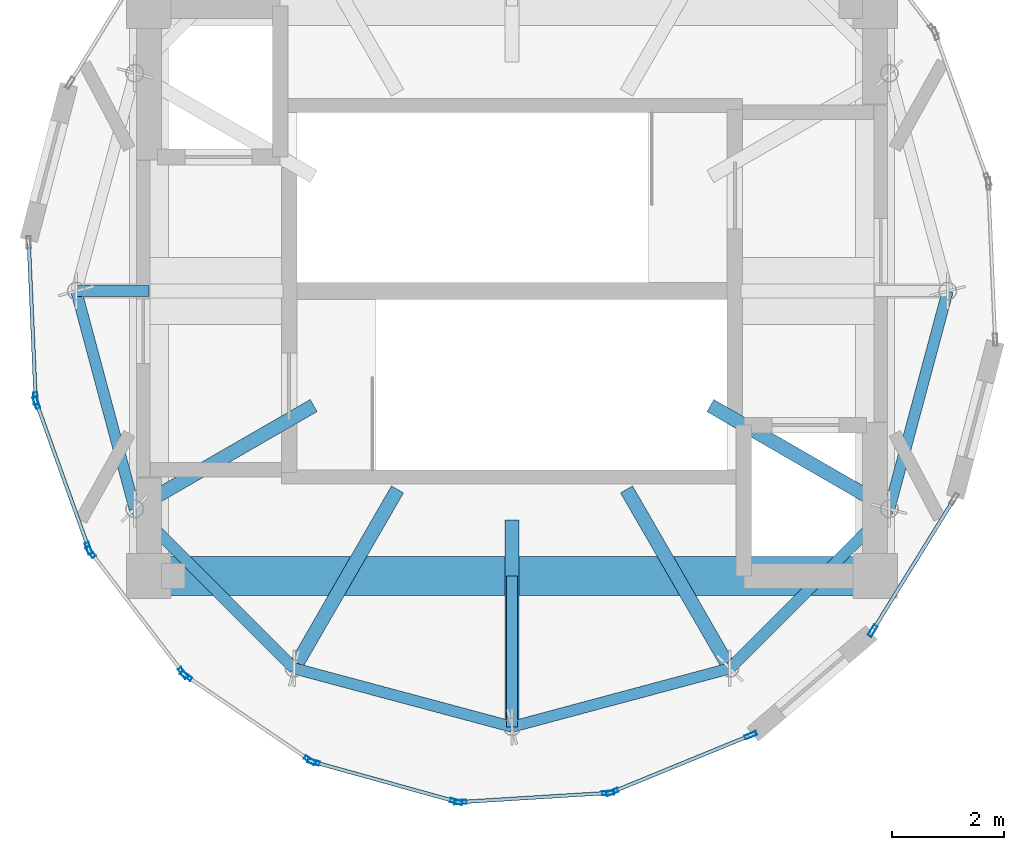
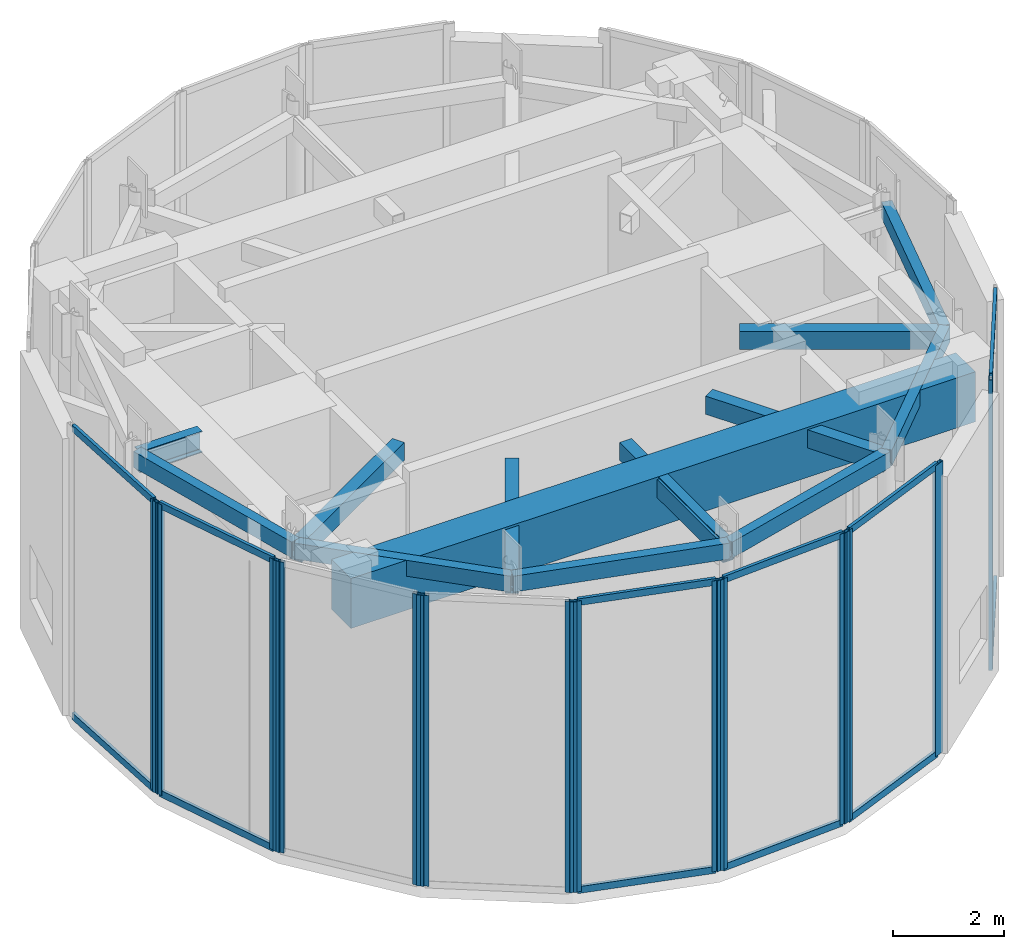
# One storey, part 2 of 7: 31 members, 9 beams, 8 elements without a shape of their own.
"""IFC4 building model written with IfcOpenShell, lengths in metres."""

from ifc_helpers import new_model, si_unit, direction, frame, origin, origin_2d, place, context, subcontext, project, spatial, rectangle, hollow_rectangle, i_section, extrude, source, transform, mapped, material, layer, layer_set, material_profile, profile_set, type_object, element, aggregate, save


model = new_model("IFC4")

# Units and contexts
model_context = context("Model", 3, precision=1e-05, world=origin(), true_north=direction((0.0, 1.0)))
body_context = subcontext(model_context, "Body", "Model", "MODEL_VIEW")
ifc_project = project(units=[si_unit("LENGTHUNIT", "METRE"), si_unit("AREAUNIT", "SQUARE_METRE"), si_unit("VOLUMEUNIT", "CUBIC_METRE"), si_unit("PLANEANGLEUNIT", "RADIAN"), si_unit("MASSUNIT", "GRAM", prefix="KILO")], contexts=[model_context])

# Site, building, storey
site_placement = place(None, origin())
site = spatial("IfcSite", under=ifc_project, at=site_placement, CompositionType="ELEMENT")
building_placement = place(site_placement, origin())
building = spatial("IfcBuilding", under=site, at=building_placement, Name="Solvirekh Grand Hotel", CompositionType="ELEMENT")
storey_placement = place(building_placement, frame((0.0, 0.0, 333.800048828125)))
storey = spatial("IfcBuildingStorey", under=building, at=storey_placement, Name="L83", CompositionType="ELEMENT", Elevation=333.800048828125)

# Beams
ifc_material_1 = material(Name="Concrete C60/75", Category="concrete")
ifc_material_profile_1 = material_profile(ifc_material_1, rectangle(XDim=0.699951171875, YDim=1.10009765625, at=origin_2d()), Name="RC BEAM 700X1100")
ifc_profile_set_1 = profile_set([ifc_material_profile_1], Name="Concrete C60/75")
beam_type_1 = type_object("IfcBeamType", Name="Beam_Core_RC1100", PredefinedType="BEAM", material=ifc_profile_set_1)
beam_1_placement = place(storey_placement, frame((-6.5, -5.10009765625, 5.550048828125), z_axis=(1.0, 0.0, 0.0), x_axis=(0.0, 1.0, 0.0)))
element("IfcBeam", 1, at=beam_1_placement, inside=storey, type_object=beam_type_1, Name="L83 core coupling ring beam 1", PredefinedType="BEAM", context=body_context, shape_type="SweptSolid", body=[
    extrude(rectangle(XDim=0.699951171875, YDim=1.10009765625, at=origin_2d()), origin(), (0.0, 0.0, 1.0), 13.0),
])
ifc_material_2 = material(Name="Steel S355", Category="steel")
ifc_material_profile_2 = material_profile(ifc_material_2, i_section(OverallWidth=0.194091796875, OverallDepth=0.468994140625, WebThickness=0.010986328125, FlangeThickness=0.01904296875, FilletRadius=0.012939453125, at=origin_2d()), Name="W460X106")
ifc_profile_set_2 = profile_set([ifc_material_profile_2], Name="Steel S355")
beam_type_2 = type_object("IfcBeamType", Name="Beam_Radial_W460H", PredefinedType="BEAM", material=ifc_profile_set_2)
beam_2_placement = place(storey_placement, frame((-6.5, 0.0, 5.864990234375), z_axis=(-1.0, 0.0, 0.0), x_axis=(0.0, -1.0, 0.0)))
element("IfcBeam", 2, at=beam_2_placement, inside=storey, type_object=beam_type_2, Name="L83 radial floor beam R07", PredefinedType="BEAM", context=body_context, shape_type="SweptSolid", body=[
    extrude(i_section(OverallWidth=0.194091796875, OverallDepth=0.468994140625, WebThickness=0.010986328125, FlangeThickness=0.01904296875, FilletRadius=0.012939453125, at=origin_2d()), origin(), (0.0, 0.0, 1.0), 1.300048828125),
])
beam_3_placement = place(storey_placement, frame((0.0, -5.10009765625, 5.864990234375), z_axis=(0.0, -1.0, 0.0), x_axis=(1.0, 0.0, 0.0)))
element("IfcBeam", 3, at=beam_3_placement, inside=storey, type_object=beam_type_2, Name="L83 radial floor beam R10", PredefinedType="BEAM", context=body_context, shape_type="SweptSolid", body=[
    extrude(i_section(OverallWidth=0.194091796875, OverallDepth=0.468994140625, WebThickness=0.010986328125, FlangeThickness=0.01904296875, FilletRadius=0.012939453125, at=origin_2d()), origin(), (0.0, 0.0, 1.0), 2.699951171875),
])

# Members
ifc_material_profile_3 = material_profile(ifc_material_2, hollow_rectangle(XDim=0.25, YDim=0.39990234375, WallThickness=0.01611328125, at=origin_2d()), Name="RHS 400X250X16")
ifc_profile_set_3 = profile_set([ifc_material_profile_3], Name="Steel S355")
member_type_1 = type_object("IfcMemberType", Name="Rafter_Crown_RHS400", PredefinedType="RAFTER", material=ifc_profile_set_3)
for number, where, z_axis, x_axis, name in (
    (4, (-6.7548828125, -3.89990234375, 5.849853515625), (0.86601304703, 0.500021401916, 0.0), (-0.500021401916, 0.86601304703, 0.0), "Crown collar rafter 8"),
    (5, (-3.89990234375, -6.7548828125, 5.849853515625), (0.500021401916, 0.86601304703, 0.0), (-0.86601304703, 0.500021401916, 0.0), "Crown collar rafter 9"),
):
    element("IfcMember", number, at=place(storey_placement, frame(where, z_axis=z_axis, x_axis=x_axis)), inside=storey, type_object=member_type_1, Name=name, PredefinedType="RAFTER", context=body_context, shape_type="SweptSolid", body=[
        extrude(hollow_rectangle(XDim=0.25, YDim=0.39990234375, WallThickness=0.01611328125, at=origin_2d()), origin(), (0.0, 0.0, 1.0), 3.699462890625),
    ])
member_1_placement = place(storey_placement, frame((0.0, -7.800048828125, 5.849853515625), z_axis=(0.0, 1.0, 0.0), x_axis=(-1.0, 0.0, 0.0)))
element("IfcMember", 6, at=member_1_placement, inside=storey, type_object=member_type_1, Name="Crown collar rafter 10", PredefinedType="RAFTER", context=body_context, shape_type="SweptSolid", body=[
    extrude(hollow_rectangle(XDim=0.25, YDim=0.39990234375, WallThickness=0.01611328125, at=origin_2d()), origin(), (0.0, 0.0, 1.0), 3.699951171875),
])
for number, where, z_axis, x_axis, name in (
    (7, (3.89990234375, -6.7548828125, 5.849853515625), (-0.500021401916, 0.86601304703, 0.0), (-0.86601304703, -0.500021401916, 0.0), "Crown collar rafter 11"),
    (8, (6.7548828125, -3.89990234375, 5.849853515625), (-0.86601304703, 0.500021401916, 0.0), (-0.500021401916, -0.86601304703, 0.0), "Crown collar rafter 12"),
):
    element("IfcMember", number, at=place(storey_placement, frame(where, z_axis=z_axis, x_axis=x_axis)), inside=storey, type_object=member_type_1, Name=name, PredefinedType="RAFTER", context=body_context, shape_type="SweptSolid", body=[
        extrude(hollow_rectangle(XDim=0.25, YDim=0.39990234375, WallThickness=0.01611328125, at=origin_2d()), origin(), (0.0, 0.0, 1.0), 3.699462890625),
    ])

# Beams
ifc_material_profile_4 = material_profile(ifc_material_2, hollow_rectangle(XDim=0.199951171875, YDim=0.35009765625, WallThickness=0.013916015625, at=origin_2d()), Name="RHS 350X200X14")
ifc_profile_set_4 = profile_set([ifc_material_profile_4], Name="Steel S355")
beam_type_3 = type_object("IfcBeamType", Name="Spandrel_Crown_RHS350", PredefinedType="SPANDREL", material=ifc_profile_set_4)
for number, where, z_axis, x_axis, name in (
    (9, (-7.800048828125, 0.0, 5.925048828125), (0.258863027773, -0.965914040095, 0.0), (0.965914040095, 0.258863027773, 0.0), "L83 perimeter spandrel beam 7"),
    (10, (-6.7548828125, -3.89990234375, 5.925048828125), (0.707106781187, -0.707106781187, 0.0), (0.707106781187, 0.707106781187, 0.0), "L83 perimeter spandrel beam 8"),
    (11, (-3.89990234375, -6.7548828125, 5.925048828125), (0.965914040095, -0.258863027773, 0.0), (0.258863027773, 0.965914040095, 0.0), "L83 perimeter spandrel beam 9"),
    (12, (0.0, -7.800048828125, 5.925048828125), (0.965914040095, 0.258863027773, 0.0), (-0.258863027773, 0.965914040095, 0.0), "L83 perimeter spandrel beam 10"),
    (13, (3.89990234375, -6.7548828125, 5.925048828125), (0.707106781187, 0.707106781187, 0.0), (-0.707106781187, 0.707106781187, 0.0), "L83 perimeter spandrel beam 11"),
    (14, (6.7548828125, -3.89990234375, 5.925048828125), (0.258863027773, 0.965914040095, 0.0), (-0.965914040095, 0.258863027773, 0.0), "L83 perimeter spandrel beam 12"),
):
    element("IfcBeam", number, at=place(storey_placement, frame(where, z_axis=z_axis, x_axis=x_axis)), inside=storey, type_object=beam_type_3, Name=name, PredefinedType="SPANDREL", context=body_context, shape_type="SweptSolid", body=[
        extrude(hollow_rectangle(XDim=0.199951171875, YDim=0.35009765625, WallThickness=0.013916015625, at=origin_2d()), origin(), (0.0, 0.0, 1.0), 4.03759765625),
    ])

# Curtain wall, members
ifc_material_3 = material(Name="Anodized Bronze Aluminium 6063-T6", Category="aluminium")
ifc_layer = layer(ifc_material_3, 0.219970703125)
ifc_layer_set = layer_set([ifc_layer], Name="Anodized Bronze Aluminium 6063-T6")
curtain_wall_type = type_object("IfcCurtainWallType", Name="CW_Sys6_CrownFacetedPointCW", PredefinedType="NOTDEFINED", material=ifc_layer_set)
curtain_wall_1_placement = place(storey_placement, origin())
curtain_wall_1 = element("IfcCurtainWall", 15, at=curtain_wall_1_placement, inside=storey, type_object=curtain_wall_type, Name="L83 unitised bronze-glass curtain wall CW-L83-C01", PredefinedType="NOTDEFINED")
ifc_material_profile_5 = material_profile(ifc_material_3, hollow_rectangle(XDim=0.074951171875, YDim=0.219970703125, WallThickness=0.006103515625, at=origin_2d()), Name="ALU RHS 220X75X6")
ifc_profile_set_5 = profile_set([ifc_material_profile_5], Name="Anodized Bronze Aluminium 6063-T6")
member_type_2 = type_object("IfcMemberType", Name="CWMullion_Sys6", PredefinedType="MULLION", material=ifc_profile_set_5)
shared_shape_1 = source(origin(), body_context, "Body", "SweptSolid", [
    extrude(hollow_rectangle(XDim=0.074951171875, YDim=0.219970703125, WallThickness=0.006103515625, at=origin_2d()), origin(), (0.0, 0.0, 1.0), 6.39990234375),
])
member_2_placement = place(storey_placement, frame((-0.924560546875, -9.147705078125, 0.0), z_axis=(0.0, 0.0, 1.0), x_axis=(-0.061259226607, 0.998121889929, 0.0)))
member_2 = element("IfcMember", 16, at=member_2_placement, type_object=member_type_2, Name="U06 mullion 1", PredefinedType="MULLION", context=body_context, shape_type="MappedRepresentation", body=[
    mapped(shared_shape_1, transform((0.0, 0.0, 0.0), x_axis=(1.0, 0.0, 0.0), y_axis=(0.0, 1.0, 0.0), z_axis=(0.0, 0.0, 1.0), scale=1.0)),
])
member_3_placement = place(storey_placement, frame((1.7216796875, -8.9853515625, 0.0), z_axis=(0.0, 0.0, 1.0), x_axis=(-0.061259226607, 0.998121889929, 0.0)))
member_3 = element("IfcMember", 17, at=member_3_placement, type_object=member_type_2, Name="U06 mullion 2", PredefinedType="MULLION", context=body_context, shape_type="MappedRepresentation", body=[
    mapped(shared_shape_1, transform((0.0, 0.0, 0.0), x_axis=(1.0, 0.0, 0.0), y_axis=(0.0, 1.0, 0.0), z_axis=(0.0, 0.0, 1.0), scale=1.0)),
])

curtain_wall_2_placement = place(storey_placement, origin())
curtain_wall_2 = element("IfcCurtainWall", 18, at=curtain_wall_2_placement, inside=storey, type_object=curtain_wall_type, Name="L83 unitised bronze-glass curtain wall CW-L83-C02", PredefinedType="NOTDEFINED")
member_4_placement = place(storey_placement, frame((1.793701171875, -8.96875, 0.0), z_axis=(0.0, 0.0, 1.0), x_axis=(-0.379636009824, 0.925135935982, 0.0)))
member_4 = element("IfcMember", 19, at=member_4_placement, type_object=member_type_2, Name="U06 mullion 1", PredefinedType="MULLION", context=body_context, shape_type="MappedRepresentation", body=[
    mapped(shared_shape_1, transform((0.0, 0.0, 0.0), x_axis=(1.0, 0.0, 0.0), y_axis=(0.0, 1.0, 0.0), z_axis=(0.0, 0.0, 1.0), scale=1.0)),
])
member_5_placement = place(storey_placement, frame((4.273193359375, -7.951171875, 0.0), z_axis=(0.0, 0.0, 1.0), x_axis=(-0.379636009824, 0.925135935982, 0.0)))
member_5 = element("IfcMember", 20, at=member_5_placement, type_object=member_type_2, Name="U06 mullion 2", PredefinedType="MULLION", context=body_context, shape_type="MappedRepresentation", body=[
    mapped(shared_shape_1, transform((0.0, 0.0, 0.0), x_axis=(1.0, 0.0, 0.0), y_axis=(0.0, 1.0, 0.0), z_axis=(0.0, 0.0, 1.0), scale=1.0)),
])

# Curtain wall, member
curtain_wall_3_placement = place(storey_placement, origin())
curtain_wall_3 = element("IfcCurtainWall", 21, at=curtain_wall_3_placement, inside=storey, type_object=curtain_wall_type, Name="L83 unitised bronze-glass curtain wall CW-L83-C04", PredefinedType="NOTDEFINED")
member_6_placement = place(storey_placement, frame((6.454833984375, -6.08203125, 0.0), z_axis=(0.0, 0.0, 1.0), x_axis=(-0.850631696106, 0.525762035125, 0.0)))
member_6 = element("IfcMember", 22, at=member_6_placement, type_object=member_type_2, Name="U06 mullion 1", PredefinedType="MULLION", context=body_context, shape_type="MappedRepresentation", body=[
    mapped(shared_shape_1, transform((0.0, 0.0, 0.0), x_axis=(1.0, 0.0, 0.0), y_axis=(0.0, 1.0, 0.0), z_axis=(0.0, 0.0, 1.0), scale=1.0)),
])

curtain_wall_4_placement = place(storey_placement, origin())
curtain_wall_4 = element("IfcCurtainWall", 23, at=curtain_wall_4_placement, inside=storey, type_object=curtain_wall_type, Name="L83 unitised bronze-glass curtain wall CW-L83-C16", PredefinedType="NOTDEFINED")
member_7_placement = place(storey_placement, frame((-8.527587890625, -1.924560546875, 0.0), z_axis=(0.0, 0.0, 1.0), x_axis=(0.999038348092, 0.04384494318, 0.0)))
member_7 = element("IfcMember", 24, at=member_7_placement, type_object=member_type_2, Name="U06 mullion 2", PredefinedType="MULLION", context=body_context, shape_type="MappedRepresentation", body=[
    mapped(shared_shape_1, transform((0.0, 0.0, 0.0), x_axis=(1.0, 0.0, 0.0), y_axis=(0.0, 1.0, 0.0), z_axis=(0.0, 0.0, 1.0), scale=1.0)),
])

# Curtain wall, members
curtain_wall_5_placement = place(storey_placement, origin())
curtain_wall_5 = element("IfcCurtainWall", 25, at=curtain_wall_5_placement, inside=storey, type_object=curtain_wall_type, Name="L83 unitised bronze-glass curtain wall CW-L83-C17", PredefinedType="NOTDEFINED")
member_8_placement = place(storey_placement, frame((-8.513427734375, -1.997314453125, 0.0), z_axis=(0.0, 0.0, 1.0), x_axis=(0.941312033475, 0.33753763588, 0.0)))
member_8 = element("IfcMember", 26, at=member_8_placement, type_object=member_type_2, Name="U06 mullion 1", PredefinedType="MULLION", context=body_context, shape_type="MappedRepresentation", body=[
    mapped(shared_shape_1, transform((0.0, 0.0, 0.0), x_axis=(1.0, 0.0, 0.0), y_axis=(0.0, 1.0, 0.0), z_axis=(0.0, 0.0, 1.0), scale=1.0)),
])
member_9_placement = place(storey_placement, frame((-7.57763671875, -4.606689453125, 0.0), z_axis=(0.0, 0.0, 1.0), x_axis=(0.941312033475, 0.33753763588, 0.0)))
member_9 = element("IfcMember", 27, at=member_9_placement, type_object=member_type_2, Name="U06 mullion 2", PredefinedType="MULLION", context=body_context, shape_type="MappedRepresentation", body=[
    mapped(shared_shape_1, transform((0.0, 0.0, 0.0), x_axis=(1.0, 0.0, 0.0), y_axis=(0.0, 1.0, 0.0), z_axis=(0.0, 0.0, 1.0), scale=1.0)),
])

curtain_wall_6_placement = place(storey_placement, origin())
curtain_wall_6 = element("IfcCurtainWall", 28, at=curtain_wall_6_placement, inside=storey, type_object=curtain_wall_type, Name="L83 unitised bronze-glass curtain wall CW-L83-C18", PredefinedType="NOTDEFINED")
member_10_placement = place(storey_placement, frame((-7.542236328125, -4.671875, 0.0), z_axis=(0.0, 0.0, 1.0), x_axis=(0.794570551349, 0.607171836409, 0.0)))
member_10 = element("IfcMember", 29, at=member_10_placement, type_object=member_type_2, Name="U06 mullion 1", PredefinedType="MULLION", context=body_context, shape_type="MappedRepresentation", body=[
    mapped(shared_shape_1, transform((0.0, 0.0, 0.0), x_axis=(1.0, 0.0, 0.0), y_axis=(0.0, 1.0, 0.0), z_axis=(0.0, 0.0, 1.0), scale=1.0)),
])
member_11_placement = place(storey_placement, frame((-5.88671875, -6.838134765625, 0.0), z_axis=(0.0, 0.0, 1.0), x_axis=(0.794570551349, 0.607171836409, 0.0)))
member_11 = element("IfcMember", 30, at=member_11_placement, type_object=member_type_2, Name="U06 mullion 2", PredefinedType="MULLION", context=body_context, shape_type="MappedRepresentation", body=[
    mapped(shared_shape_1, transform((0.0, 0.0, 0.0), x_axis=(1.0, 0.0, 0.0), y_axis=(0.0, 1.0, 0.0), z_axis=(0.0, 0.0, 1.0), scale=1.0)),
])
aggregate(curtain_wall_6, [member_10, member_11])

curtain_wall_7_placement = place(storey_placement, origin())
curtain_wall_7 = element("IfcCurtainWall", 31, at=curtain_wall_7_placement, inside=storey, type_object=curtain_wall_type, Name="L83 unitised bronze-glass curtain wall CW-L83-C19", PredefinedType="NOTDEFINED")
member_12_placement = place(storey_placement, frame((-5.8330078125, -6.88916015625, 0.0), z_axis=(0.0, 0.0, 1.0), x_axis=(0.563629589978, 0.826027654078, 0.0)))
member_12 = element("IfcMember", 32, at=member_12_placement, type_object=member_type_2, Name="U06 mullion 1", PredefinedType="MULLION", context=body_context, shape_type="MappedRepresentation", body=[
    mapped(shared_shape_1, transform((0.0, 0.0, 0.0), x_axis=(1.0, 0.0, 0.0), y_axis=(0.0, 1.0, 0.0), z_axis=(0.0, 0.0, 1.0), scale=1.0)),
])
member_13_placement = place(storey_placement, frame((-3.618896484375, -8.39990234375, 0.0), z_axis=(0.0, 0.0, 1.0), x_axis=(0.563629589978, 0.826027654078, 0.0)))
member_13 = element("IfcMember", 33, at=member_13_placement, type_object=member_type_2, Name="U06 mullion 2", PredefinedType="MULLION", context=body_context, shape_type="MappedRepresentation", body=[
    mapped(shared_shape_1, transform((0.0, 0.0, 0.0), x_axis=(1.0, 0.0, 0.0), y_axis=(0.0, 1.0, 0.0), z_axis=(0.0, 0.0, 1.0), scale=1.0)),
])
aggregate(curtain_wall_7, [member_12, member_13])

curtain_wall_8_placement = place(storey_placement, origin())
curtain_wall_8 = element("IfcCurtainWall", 34, at=curtain_wall_8_placement, inside=storey, type_object=curtain_wall_type, Name="L83 unitised bronze-glass curtain wall CW-L83-C20", PredefinedType="NOTDEFINED")
member_14_placement = place(storey_placement, frame((-3.5517578125, -8.43115234375, 0.0), z_axis=(0.0, 0.0, 1.0), x_axis=(0.267492462158, 0.963559952825, 0.0)))
member_14 = element("IfcMember", 35, at=member_14_placement, type_object=member_type_2, Name="U06 mullion 1", PredefinedType="MULLION", context=body_context, shape_type="MappedRepresentation", body=[
    mapped(shared_shape_1, transform((0.0, 0.0, 0.0), x_axis=(1.0, 0.0, 0.0), y_axis=(0.0, 1.0, 0.0), z_axis=(0.0, 0.0, 1.0), scale=1.0)),
])
member_15_placement = place(storey_placement, frame((-0.998046875, -9.139892578125, 0.0), z_axis=(0.0, 0.0, 1.0), x_axis=(0.267492462158, 0.963559952825, 0.0)))
member_15 = element("IfcMember", 36, at=member_15_placement, type_object=member_type_2, Name="U06 mullion 2", PredefinedType="MULLION", context=body_context, shape_type="MappedRepresentation", body=[
    mapped(shared_shape_1, transform((0.0, 0.0, 0.0), x_axis=(1.0, 0.0, 0.0), y_axis=(0.0, 1.0, 0.0), z_axis=(0.0, 0.0, 1.0), scale=1.0)),
])

# Member
ifc_material_profile_6 = material_profile(ifc_material_3, hollow_rectangle(XDim=0.06494140625, YDim=0.14990234375, WallThickness=0.0048828125, at=origin_2d()), Name="ALU RHS 150X65X5")
ifc_profile_set_6 = profile_set([ifc_material_profile_6], Name="Anodized Bronze Aluminium 6063-T6")
member_type_3 = type_object("IfcMemberType", Name="CWTransom_Sys6", PredefinedType="USERDEFINED", material=ifc_profile_set_6)
shared_shape_2 = source(origin(), body_context, "Body", "SweptSolid", [
    extrude(hollow_rectangle(XDim=0.06494140625, YDim=0.14990234375, WallThickness=0.0048828125, at=origin_2d()), origin(), (0.0, 0.0, 1.0), 2.576171875),
])
member_16_placement = place(storey_placement, frame((-0.88720703125, -9.1455078125, 0.032470703125), z_axis=(0.99811838937, 0.061316236035, 0.0), x_axis=(-0.061316236035, 0.99811838937, 0.0)))
member_16 = element("IfcMember", 37, at=member_16_placement, type_object=member_type_3, Name="U06 transom 1.1", ObjectType="TRANSOM", PredefinedType="USERDEFINED", context=body_context, shape_type="MappedRepresentation", body=[
    mapped(shared_shape_2, transform((0.0, 0.0, 0.0), x_axis=(1.0, 0.0, 0.0), y_axis=(0.0, 1.0, 0.0), z_axis=(0.0, 0.0, 1.0), scale=1.0)),
])

member_17_placement = place(storey_placement, frame((-0.88720703125, -9.1455078125, 6.367431640625), z_axis=(0.99811838937, 0.061316236035, 0.0), x_axis=(-0.061316236035, 0.99811838937, 0.0)))
member_17 = element("IfcMember", 38, at=member_17_placement, type_object=member_type_3, Name="U06 transom 1.2", ObjectType="TRANSOM", PredefinedType="USERDEFINED", context=body_context, shape_type="MappedRepresentation", body=[
    mapped(shared_shape_2, transform((0.0, 0.0, 0.0), x_axis=(1.0, 0.0, 0.0), y_axis=(0.0, 1.0, 0.0), z_axis=(0.0, 0.0, 1.0), scale=1.0)),
])

aggregate(curtain_wall_1, [member_2, member_3, member_16, member_17])

shared_shape_3 = source(origin(), body_context, "Body", "SweptSolid", [
    extrude(hollow_rectangle(XDim=0.06494140625, YDim=0.14990234375, WallThickness=0.0048828125, at=origin_2d()), origin(), (0.0, 0.0, 1.0), 2.605224609375),
])
member_18_placement = place(storey_placement, frame((1.828369140625, -8.95458984375, 0.032470703125), z_axis=(0.925137395067, 0.379632454155, 0.0), x_axis=(-0.379632454155, 0.925137395067, 0.0)))
member_18 = element("IfcMember", 39, at=member_18_placement, type_object=member_type_3, Name="U06 transom 1.1", ObjectType="TRANSOM", PredefinedType="USERDEFINED", context=body_context, shape_type="MappedRepresentation", body=[
    mapped(shared_shape_3, transform((0.0, 0.0, 0.0), x_axis=(1.0, 0.0, 0.0), y_axis=(0.0, 1.0, 0.0), z_axis=(0.0, 0.0, 1.0), scale=1.0)),
])

member_19_placement = place(storey_placement, frame((1.828369140625, -8.95458984375, 6.367431640625), z_axis=(0.925137395067, 0.379632454155, 0.0), x_axis=(-0.379632454155, 0.925137395067, 0.0)))
member_19 = element("IfcMember", 40, at=member_19_placement, type_object=member_type_3, Name="U06 transom 1.2", ObjectType="TRANSOM", PredefinedType="USERDEFINED", context=body_context, shape_type="MappedRepresentation", body=[
    mapped(shared_shape_3, transform((0.0, 0.0, 0.0), x_axis=(1.0, 0.0, 0.0), y_axis=(0.0, 1.0, 0.0), z_axis=(0.0, 0.0, 1.0), scale=1.0)),
])

aggregate(curtain_wall_2, [member_4, member_5, member_18, member_19])

shared_shape_4 = source(origin(), body_context, "Body", "SweptSolid", [
    extrude(hollow_rectangle(XDim=0.06494140625, YDim=0.14990234375, WallThickness=0.0048828125, at=origin_2d()), origin(), (0.0, 0.0, 1.0), 2.697265625),
])
member_20_placement = place(storey_placement, frame((6.474365234375, -6.05029296875, 0.032470703125), z_axis=(0.525778042836, 0.850621801785, 0.0), x_axis=(-0.850621801785, 0.525778042836, 0.0)))
member_20 = element("IfcMember", 41, at=member_20_placement, type_object=member_type_3, Name="U06 transom 1.1", ObjectType="TRANSOM", PredefinedType="USERDEFINED", context=body_context, shape_type="MappedRepresentation", body=[
    mapped(shared_shape_4, transform((0.0, 0.0, 0.0), x_axis=(1.0, 0.0, 0.0), y_axis=(0.0, 1.0, 0.0), z_axis=(0.0, 0.0, 1.0), scale=1.0)),
])

member_21_placement = place(storey_placement, frame((6.474365234375, -6.05029296875, 6.367431640625), z_axis=(0.525778042836, 0.850621801785, 0.0), x_axis=(-0.850621801785, 0.525778042836, 0.0)))
member_21 = element("IfcMember", 42, at=member_21_placement, type_object=member_type_3, Name="U06 transom 1.2", ObjectType="TRANSOM", PredefinedType="USERDEFINED", context=body_context, shape_type="MappedRepresentation", body=[
    mapped(shared_shape_4, transform((0.0, 0.0, 0.0), x_axis=(1.0, 0.0, 0.0), y_axis=(0.0, 1.0, 0.0), z_axis=(0.0, 0.0, 1.0), scale=1.0)),
])

aggregate(curtain_wall_3, [member_6, member_20, member_21])

shared_shape_5 = source(origin(), body_context, "Body", "SweptSolid", [
    extrude(hollow_rectangle(XDim=0.06494140625, YDim=0.14990234375, WallThickness=0.0048828125, at=origin_2d()), origin(), (0.0, 0.0, 1.0), 2.7236328125),
])
member_22_placement = place(storey_placement, frame((-8.648681640625, 0.833984375, 0.032470703125), z_axis=(0.043834005108, -0.999038828072, 0.0), x_axis=(0.999038828072, 0.043834005108, 0.0)))
member_22 = element("IfcMember", 43, at=member_22_placement, type_object=member_type_3, Name="U06 transom 1.1", ObjectType="TRANSOM", PredefinedType="USERDEFINED", context=body_context, shape_type="MappedRepresentation", body=[
    mapped(shared_shape_5, transform((0.0, 0.0, 0.0), x_axis=(1.0, 0.0, 0.0), y_axis=(0.0, 1.0, 0.0), z_axis=(0.0, 0.0, 1.0), scale=1.0)),
])

member_23_placement = place(storey_placement, frame((-8.648681640625, 0.833984375, 6.367431640625), z_axis=(0.043834005108, -0.999038828072, 0.0), x_axis=(0.999038828072, 0.043834005108, 0.0)))
member_23 = element("IfcMember", 44, at=member_23_placement, type_object=member_type_3, Name="U06 transom 1.2", ObjectType="TRANSOM", PredefinedType="USERDEFINED", context=body_context, shape_type="MappedRepresentation", body=[
    mapped(shared_shape_5, transform((0.0, 0.0, 0.0), x_axis=(1.0, 0.0, 0.0), y_axis=(0.0, 1.0, 0.0), z_axis=(0.0, 0.0, 1.0), scale=1.0)),
])

aggregate(curtain_wall_4, [member_7, member_22, member_23])

shared_shape_6 = source(origin(), body_context, "Body", "SweptSolid", [
    extrude(hollow_rectangle(XDim=0.06494140625, YDim=0.14990234375, WallThickness=0.0048828125, at=origin_2d()), origin(), (0.0, 0.0, 1.0), 2.69677734375),
])
member_24_placement = place(storey_placement, frame((-8.500732421875, -2.03271484375, 0.032470703125), z_axis=(0.337574808968, -0.941298703043, 0.0), x_axis=(0.941298703043, 0.337574808968, 0.0)))
member_24 = element("IfcMember", 45, at=member_24_placement, type_object=member_type_3, Name="U06 transom 1.1", ObjectType="TRANSOM", PredefinedType="USERDEFINED", context=body_context, shape_type="MappedRepresentation", body=[
    mapped(shared_shape_6, transform((0.0, 0.0, 0.0), x_axis=(1.0, 0.0, 0.0), y_axis=(0.0, 1.0, 0.0), z_axis=(0.0, 0.0, 1.0), scale=1.0)),
])

member_25_placement = place(storey_placement, frame((-8.500732421875, -2.03271484375, 6.367431640625), z_axis=(0.337574808968, -0.941298703043, 0.0), x_axis=(0.941298703043, 0.337574808968, 0.0)))
member_25 = element("IfcMember", 46, at=member_25_placement, type_object=member_type_3, Name="U06 transom 1.2", ObjectType="TRANSOM", PredefinedType="USERDEFINED", context=body_context, shape_type="MappedRepresentation", body=[
    mapped(shared_shape_6, transform((0.0, 0.0, 0.0), x_axis=(1.0, 0.0, 0.0), y_axis=(0.0, 1.0, 0.0), z_axis=(0.0, 0.0, 1.0), scale=1.0)),
])

aggregate(curtain_wall_5, [member_8, member_9, member_24, member_25])

shared_shape_7 = source(origin(), body_context, "Body", "SweptSolid", [
    extrude(hollow_rectangle(XDim=0.06494140625, YDim=0.14990234375, WallThickness=0.0048828125, at=origin_2d()), origin(), (0.0, 0.0, 1.0), 2.5751953125),
])
member_26_placement = place(storey_placement, frame((-3.515625, -8.441162109375, 0.032470703125), z_axis=(0.963574932367, -0.267438497069, 0.0), x_axis=(0.267438497069, 0.963574932367, 0.0)))
member_26 = element("IfcMember", 47, at=member_26_placement, type_object=member_type_3, Name="U06 transom 1.1", ObjectType="TRANSOM", PredefinedType="USERDEFINED", context=body_context, shape_type="MappedRepresentation", body=[
    mapped(shared_shape_7, transform((0.0, 0.0, 0.0), x_axis=(1.0, 0.0, 0.0), y_axis=(0.0, 1.0, 0.0), z_axis=(0.0, 0.0, 1.0), scale=1.0)),
])

member_27_placement = place(storey_placement, frame((-3.515625, -8.441162109375, 6.367431640625), z_axis=(0.963574932367, -0.267438497069, 0.0), x_axis=(0.267438497069, 0.963574932367, 0.0)))
member_27 = element("IfcMember", 48, at=member_27_placement, type_object=member_type_3, Name="U06 transom 1.2", ObjectType="TRANSOM", PredefinedType="USERDEFINED", context=body_context, shape_type="MappedRepresentation", body=[
    mapped(shared_shape_7, transform((0.0, 0.0, 0.0), x_axis=(1.0, 0.0, 0.0), y_axis=(0.0, 1.0, 0.0), z_axis=(0.0, 0.0, 1.0), scale=1.0)),
])

aggregate(curtain_wall_8, [member_14, member_15, member_26, member_27])

save(model, "model.ifc")
